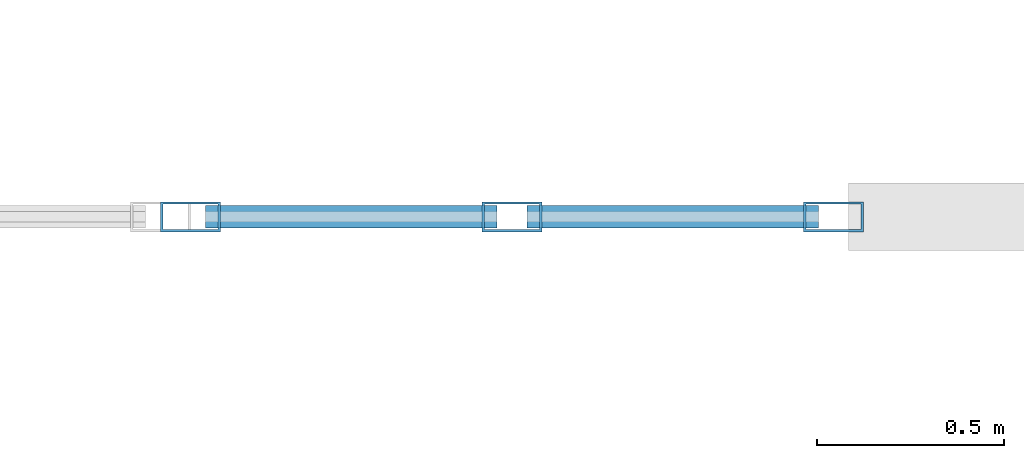
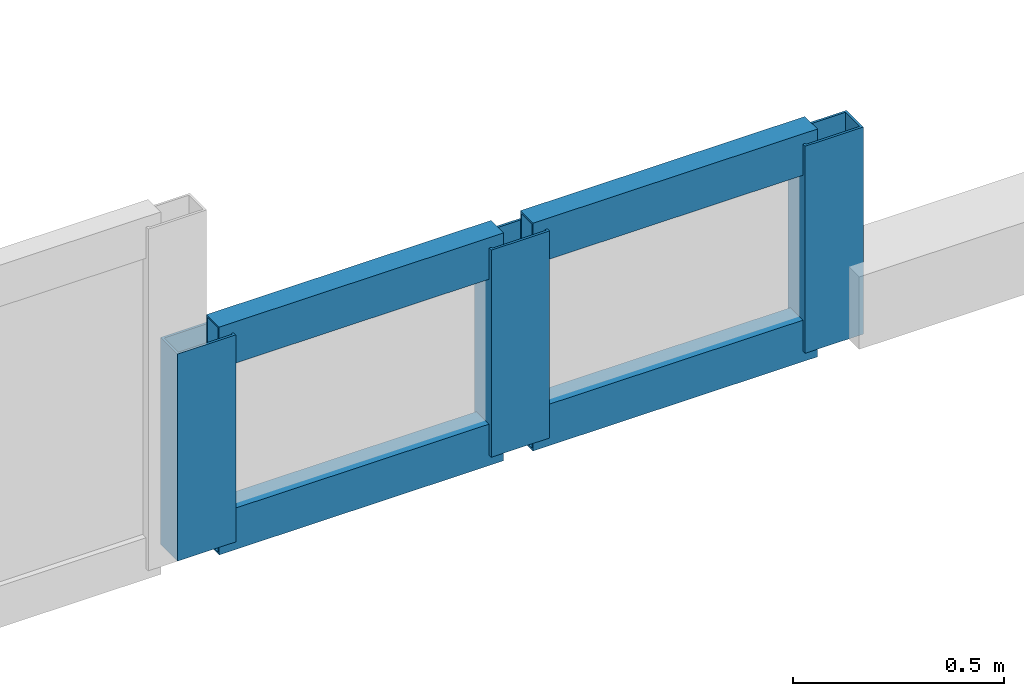
# One storey, part 64 of 105: 7 members, 1 element without a shape of its own.
"""IFC4 building model written with IfcOpenShell, lengths in metres."""

from ifc_helpers import new_model, si_unit, direction, frame, origin, origin_2d, place, context, subcontext, project, spatial, hollow_rectangle, extrude, material, layer, layer_set, material_profile, profile_set, type_object, element, aggregate, save


model = new_model("IFC4")

# Units and contexts
model_context = context("Model", 3, precision=1e-05, world=origin(), true_north=direction((0.0, 1.0)))
body_context = subcontext(model_context, "Body", "Model", "MODEL_VIEW")
ifc_project = project(units=[si_unit("LENGTHUNIT", "METRE"), si_unit("AREAUNIT", "SQUARE_METRE"), si_unit("VOLUMEUNIT", "CUBIC_METRE"), si_unit("PLANEANGLEUNIT", "RADIAN"), si_unit("MASSUNIT", "GRAM", prefix="KILO"), si_unit("THERMODYNAMICTEMPERATUREUNIT", "KELVIN"), si_unit("POWERUNIT", "WATT")], contexts=[model_context])

# Site, building, storey
site_placement = place(None, origin())
site = spatial("IfcSite", under=ifc_project, at=site_placement, CompositionType="ELEMENT")
building_placement = place(site_placement, origin())
building = spatial("IfcBuilding", under=site, at=building_placement, Name="Kaldorven Railside Theatre", CompositionType="ELEMENT")
storey_placement = place(building_placement, frame((0.0, 0.0, 9.89990234375)))
storey = spatial("IfcBuildingStorey", under=building, at=storey_placement, Name="L02", CompositionType="ELEMENT", Elevation=9.89990234375)

# Curtain wall, members
ifc_material_1 = material(Name="Low-E laminated solar-control glass", Category="glass")
ifc_layer = layer(ifc_material_1, 0.159912109375, Name="Low-E laminated solar-control glass")
ifc_layer_set = layer_set([ifc_layer], Name="Low-E laminated solar-control glass")
curtain_wall_type = type_object("IfcCurtainWallType", Name="CWT-70", PredefinedType="USERDEFINED", material=ifc_layer_set)
curtain_wall_placement = place(storey_placement, origin())
curtain_wall = element("IfcCurtainWall", 1, at=curtain_wall_placement, inside=storey, type_object=curtain_wall_type, Name="Workshop East Gable Clerestory CWG-152", ObjectType="FLUTED GLAZING", PredefinedType="USERDEFINED")
ifc_material_2 = material(Name="Anodised bronze aluminium", Category="aluminium")
ifc_material_profile_1 = material_profile(ifc_material_2, hollow_rectangle(XDim=0.080078125, YDim=0.159912109375, WallThickness=0.00634765625, at=origin_2d()), Name="RHS 160x80x6.3")
ifc_profile_set_1 = profile_set([ifc_material_profile_1], Name="Anodised bronze aluminium")
member_type_1 = type_object("IfcMemberType", Name="CWM-160", PredefinedType="MULLION", material=ifc_profile_set_1)
member_1_placement = place(storey_placement, frame((182.639892578125, 112.800048828125, 0.02001953125), z_axis=(0.0, 0.0, 1.0), x_axis=(0.0, 1.0, 0.0)))
member_1 = element("IfcMember", 2, at=member_1_placement, type_object=member_type_1, Name="CWG-152 mullion 1", PredefinedType="MULLION", context=body_context, shape_type="SweptSolid", body=[
    extrude(hollow_rectangle(XDim=0.080078125, YDim=0.159912109375, WallThickness=0.00634765625, at=origin_2d()), origin(), (0.0, 0.0, 1.0), 0.60009765625),
])
member_2_placement = place(storey_placement, frame((183.5, 112.800048828125, 0.02001953125), z_axis=(0.0, 0.0, 1.0), x_axis=(0.0, 1.0, 0.0)))
member_2 = element("IfcMember", 3, at=member_2_placement, type_object=member_type_1, Name="CWG-152 mullion 2", PredefinedType="MULLION", context=body_context, shape_type="SweptSolid", body=[
    extrude(hollow_rectangle(XDim=0.080078125, YDim=0.159912109375, WallThickness=0.00634765625, at=origin_2d()), origin(), (0.0, 0.0, 1.0), 0.60009765625),
])
member_3_placement = place(storey_placement, frame((184.360107421875, 112.800048828125, 0.02001953125), z_axis=(0.0, 0.0, 1.0), x_axis=(0.0, 1.0, 0.0)))
member_3 = element("IfcMember", 4, at=member_3_placement, type_object=member_type_1, Name="CWG-152 mullion 3", PredefinedType="MULLION", context=body_context, shape_type="SweptSolid", body=[
    extrude(hollow_rectangle(XDim=0.080078125, YDim=0.159912109375, WallThickness=0.00634765625, at=origin_2d()), origin(), (0.0, 0.0, 1.0), 0.60009765625),
])
ifc_material_profile_2 = material_profile(ifc_material_2, hollow_rectangle(XDim=0.06005859375, YDim=0.1201171875, WallThickness=0.0048828125, at=origin_2d()), Name="RHS 120x60x5")
ifc_profile_set_2 = profile_set([ifc_material_profile_2], Name="Anodised bronze aluminium")
member_type_2 = type_object("IfcMemberType", Name="CWT-120", PredefinedType="USERDEFINED", material=ifc_profile_set_2)
member_4_placement = place(storey_placement, frame((182.679931640625, 112.800048828125, 0.050048828125), z_axis=(1.0, 0.0, 0.0), x_axis=(0.0, 1.0, 0.0)))
member_4 = element("IfcMember", 5, at=member_4_placement, type_object=member_type_2, Name="CWG-152 transom 1.1", ObjectType="TRANSOM", PredefinedType="USERDEFINED", context=body_context, shape_type="SweptSolid", body=[
    extrude(hollow_rectangle(XDim=0.06005859375, YDim=0.1201171875, WallThickness=0.0048828125, at=origin_2d()), origin(), (0.0, 0.0, 1.0), 0.780029296875),
])
member_5_placement = place(storey_placement, frame((182.679931640625, 112.800048828125, 0.590087890625), z_axis=(1.0, 0.0, 0.0), x_axis=(0.0, 1.0, 0.0)))
member_5 = element("IfcMember", 6, at=member_5_placement, type_object=member_type_2, Name="CWG-152 transom 1.2", ObjectType="TRANSOM", PredefinedType="USERDEFINED", context=body_context, shape_type="SweptSolid", body=[
    extrude(hollow_rectangle(XDim=0.06005859375, YDim=0.1201171875, WallThickness=0.0048828125, at=origin_2d()), origin(), (0.0, 0.0, 1.0), 0.780029296875),
])
member_6_placement = place(storey_placement, frame((183.5400390625, 112.800048828125, 0.050048828125), z_axis=(1.0, 0.0, 0.0), x_axis=(0.0, 1.0, 0.0)))
member_6 = element("IfcMember", 7, at=member_6_placement, type_object=member_type_2, Name="CWG-152 transom 2.1", ObjectType="TRANSOM", PredefinedType="USERDEFINED", context=body_context, shape_type="SweptSolid", body=[
    extrude(hollow_rectangle(XDim=0.06005859375, YDim=0.1201171875, WallThickness=0.0048828125, at=origin_2d()), origin(), (0.0, 0.0, 1.0), 0.780029296875),
])
member_7_placement = place(storey_placement, frame((183.5400390625, 112.800048828125, 0.590087890625), z_axis=(1.0, 0.0, 0.0), x_axis=(0.0, 1.0, 0.0)))
member_7 = element("IfcMember", 8, at=member_7_placement, type_object=member_type_2, Name="CWG-152 transom 2.2", ObjectType="TRANSOM", PredefinedType="USERDEFINED", context=body_context, shape_type="SweptSolid", body=[
    extrude(hollow_rectangle(XDim=0.06005859375, YDim=0.1201171875, WallThickness=0.0048828125, at=origin_2d()), origin(), (0.0, 0.0, 1.0), 0.780029296875),
])
aggregate(curtain_wall, [member_1, member_2, member_3, member_4, member_5, member_6, member_7])

save(model, "model.ifc")
